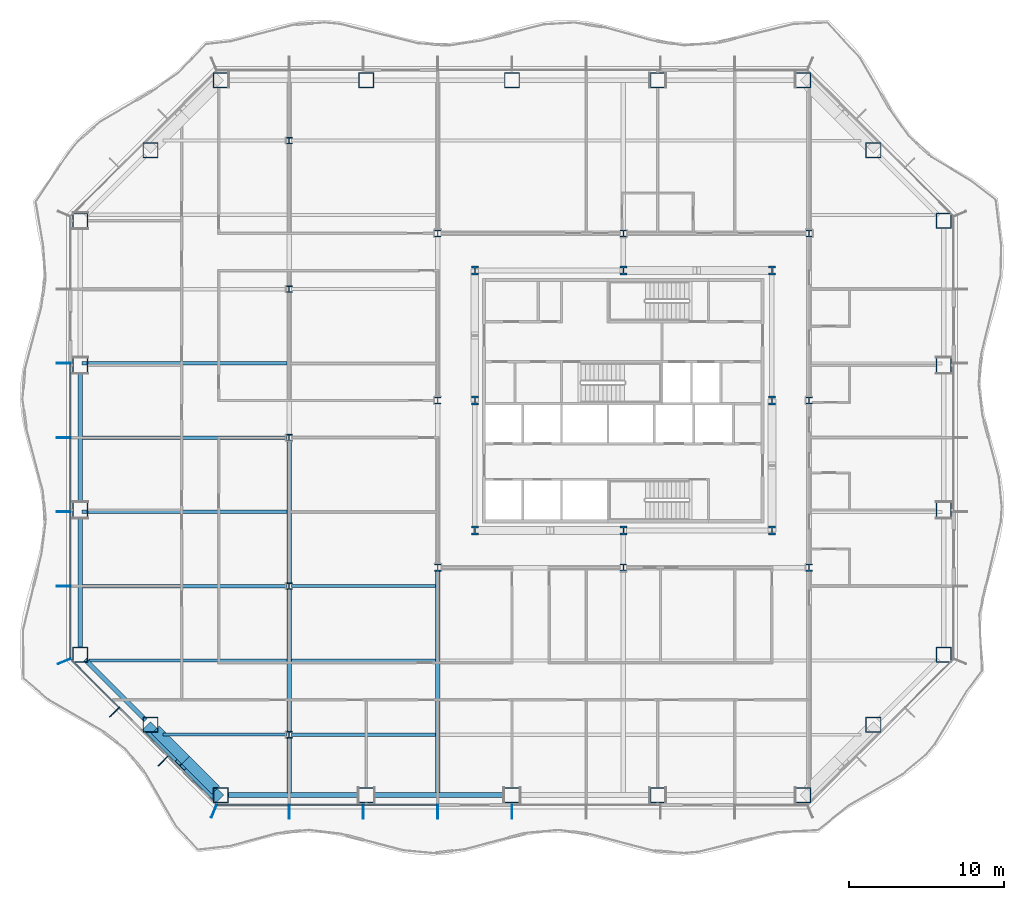
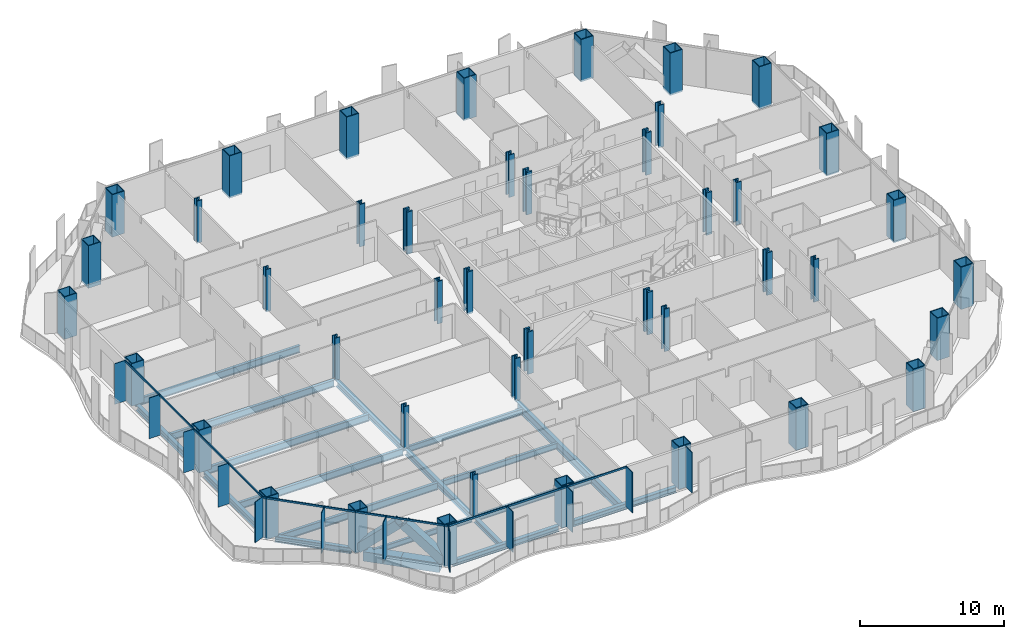
# One storey, part 1 of 21: 43 columns, 24 members, 20 beams, 3 elements without a shape of their own.
"""IFC4 building model written with IfcOpenShell, lengths in metres."""

import ifcopenshell
import ifcopenshell.guid

model = None  # the IFC model being written
_history = None  # IfcOwnerHistory: only IFC2X3 demands one
_inside = {}  # id of a spatial element -> (the spatial element, [elements in it])
_under = {}  # id of a project, library or spatial element -> (it, [spatial elements below it])
_declared = {}  # id of a project -> (the project, [libraries it declares])
_typed = {}  # id of a type object -> (the type object, [elements of that type])
_made_of = {}  # id of a material, layer set ... -> (it, [elements and type objects made of it])


def new_model(schema):
    """Start an empty IFC model of exactly this schema.

    Asked for "IFC4X3", IfcOpenShell would pick the latest addendum, in which some entities
    have other attributes; the version numbers below select the first issue.
    IFC2X3 requires an IfcOwnerHistory on every rooted entity: one is made here for all.
    """
    global model, _history
    if schema == "IFC4X3":
        model = ifcopenshell.file(schema_version=(4, 3, 0, 0))
    else:
        model = ifcopenshell.file(schema=schema)
    _inside.clear()
    _under.clear()
    _declared.clear()
    _typed.clear()
    _made_of.clear()
    _history = None
    if model.schema == "IFC2X3":
        org = make("IfcOrganization", Name="unknown")
        user = make(
            "IfcPersonAndOrganization",
            ThePerson=make("IfcPerson", FamilyName="unknown"),
            TheOrganization=org,
        )
        app = make(
            "IfcApplication",
            ApplicationDeveloper=org,
            Version="unknown",
            ApplicationFullName="unknown",
            ApplicationIdentifier="unknown",
        )
        _history = make(
            "IfcOwnerHistory",
            OwningUser=user,
            OwningApplication=app,
            ChangeAction="ADDED",
            CreationDate=0,
        )
    return model


def make(cls, **values):
    """One entity of the class cls with the attributes given. An attribute that is None is left unset."""
    return model.create_entity(
        cls, **{name: value for name, value in values.items() if value is not None}
    )


def rooted(cls, **values):
    """An entity with a GlobalId (a new one), such as an element, a storey or a relation."""
    return make(cls, GlobalId=ifcopenshell.guid.new(), OwnerHistory=_history, **values)


def si_unit(unit_type, name, prefix=None):
    """IfcSIUnit, for example si_unit("LENGTHUNIT", "METRE", prefix="MILLI")."""
    return make("IfcSIUnit", UnitType=unit_type, Prefix=prefix, Name=name)


def assignment(units):
    """IfcUnitAssignment: the units of a project."""
    return None if units is None else make("IfcUnitAssignment", Units=units)


def point(xyz):
    """IfcCartesianPoint."""
    return None if xyz is None else make("IfcCartesianPoint", Coordinates=xyz)


def direction(xyz):
    """IfcDirection."""
    return None if xyz is None else make("IfcDirection", DirectionRatios=xyz)


def frame(location, z_axis=None, x_axis=None):
    """IfcAxis2Placement3D, a coordinate frame: its origin and axes. An axis left out is left unset."""
    return make(
        "IfcAxis2Placement3D",
        Location=point(location),
        Axis=direction(z_axis),
        RefDirection=direction(x_axis),
    )


def frame_2d(location, x_axis=None):
    """IfcAxis2Placement2D, a coordinate frame in the plane: its origin and x axis."""
    return make(
        "IfcAxis2Placement2D", Location=point(location), RefDirection=direction(x_axis)
    )


def origin():
    """The frame at (0, 0, 0) with its axes left unset."""
    return frame((0.0, 0.0, 0.0))


def origin_2d():
    """The frame at (0, 0) in the plane with its x axis left unset."""
    return frame_2d((0.0, 0.0))


def place(relative_to, where):
    """IfcLocalPlacement: puts the frame where relative to a parent placement (None: the world)."""
    return make(
        "IfcLocalPlacement", PlacementRelTo=relative_to, RelativePlacement=where
    )


def context(
    kind, dimensions, precision=None, world=None, true_north=None, identifier=None
):
    """IfcGeometricRepresentationContext, for example the 3D "Model" context."""
    return make(
        "IfcGeometricRepresentationContext",
        ContextIdentifier=identifier,
        ContextType=kind,
        CoordinateSpaceDimension=dimensions,
        Precision=precision,
        WorldCoordinateSystem=world,
        TrueNorth=true_north,
    )


def subcontext(parent, identifier, kind, view, scale=None):
    """IfcGeometricRepresentationSubContext, for example "Body" below "Model"."""
    return make(
        "IfcGeometricRepresentationSubContext",
        ContextIdentifier=identifier,
        ContextType=kind,
        ParentContext=parent,
        TargetScale=scale,
        TargetView=view,
    )


def project(units=None, contexts=None):
    """IfcProject with its units and contexts."""
    return rooted(
        "IfcProject",
        Name="project",
        RepresentationContexts=contexts,
        UnitsInContext=assignment(units),
    )


def spatial(cls, under=None, at=None, **own):
    """A site, building, storey or space (cls), placed at a placement, below another one or the project."""
    s = rooted(cls, ObjectPlacement=at, **own)
    if under is not None:
        _under.setdefault(under.id(), (under, []))[1].append(s)
    return s


def profile(cls, at=None, kind="AREA", **sizes):
    """A parametric profile (cls). Its sizes go by their IFC names, for example OverallWidth=200.0."""
    return make(cls, ProfileType=kind, Position=at, **sizes)


def rectangle(**sizes):
    """IfcRectangleProfileDef."""
    return profile("IfcRectangleProfileDef", **sizes)


def hollow_rectangle(**sizes):
    """IfcRectangleHollowProfileDef."""
    return profile("IfcRectangleHollowProfileDef", **sizes)


def i_section(**sizes):
    """IfcIShapeProfileDef."""
    return profile("IfcIShapeProfileDef", **sizes)


def extrude(swept, where, along, depth):
    """IfcExtrudedAreaSolid: the profile swept, set in the frame where, extruded along a direction by depth."""
    return make(
        "IfcExtrudedAreaSolid",
        SweptArea=swept,
        Position=where,
        ExtrudedDirection=direction(along),
        Depth=depth,
    )


def shape(context_of_items, identifier, shape_type, items):
    """IfcShapeRepresentation: the items that make up one representation, for example the "Body"."""
    return make(
        "IfcShapeRepresentation",
        ContextOfItems=context_of_items,
        RepresentationIdentifier=identifier,
        RepresentationType=shape_type,
        Items=items,
    )


def material(Name=None, Category=None):
    """IfcMaterial."""
    return make("IfcMaterial", Name=Name, Category=Category)


def material_profile(
    of_material, cross_section, Name=None, Category=None, Priority=None
):
    """IfcMaterialProfile: a cross section and its material."""
    return make(
        "IfcMaterialProfile",
        Name=Name,
        Material=of_material,
        Profile=cross_section,
        Priority=Priority,
        Category=Category,
    )


def profile_set(profiles, Name=None, composite=None):
    """IfcMaterialProfileSet."""
    return make(
        "IfcMaterialProfileSet",
        Name=Name,
        MaterialProfiles=profiles,
        CompositeProfile=composite,
    )


def made_of(thing, what):
    """Note that an element or type object is made of a material, layer set ...; save() writes the relation."""
    if what is not None:
        _made_of.setdefault(what.id(), (what, []))[1].append(thing)
    return thing


def type_object(cls, material=None, **own):
    """A type object (cls), such as IfcWallType, which elements share."""
    return made_of(rooted(cls, **own), material)


def element(
    cls,
    number,
    at=None,
    inside=None,
    cuts=None,
    type_object=None,
    material=None,
    context=None,
    identifier="Body",
    shape_type=None,
    held_by="IfcProductDefinitionShape",
    body=None,
    shapes=None,
    **own,
):
    """One element of the class cls, such as IfcWall. Its Tag is "e" and its number.

    at: its placement. inside: the storey or other place that contains it. cuts: it is an
    opening in that element (IfcRelVoidsElement). A single representation is given by context,
    identifier, shape_type and body (its items); several are given by shapes. held_by: the class
    of the entity that holds the representations. save() writes the other relations.
    """
    e = rooted(cls, Tag="e%d" % number, ObjectPlacement=at, **own)
    if body is not None:
        shapes = [shape(context, identifier, shape_type, body)]
    if shapes is not None:
        e.Representation = make(held_by, Representations=shapes)
    if inside is not None:
        _inside.setdefault(inside.id(), (inside, []))[1].append(e)
    if cuts is not None:
        rooted(
            "IfcRelVoidsElement", RelatingBuildingElement=cuts, RelatedOpeningElement=e
        )
    if type_object is not None:
        _typed.setdefault(type_object.id(), (type_object, []))[1].append(e)
    return made_of(e, material)


def aggregate(whole, parts):
    """IfcRelAggregates: a whole, such as a stair, and the parts it consists of."""
    return rooted("IfcRelAggregates", RelatingObject=whole, RelatedObjects=parts)


def save(model, path):
    """Write the relations noted so far, then the file.

    IfcRelAggregates (storeys below a building ...), IfcRelContainedInSpatialStructure (elements
    in a storey), IfcRelDefinesByType, IfcRelAssociatesMaterial and IfcRelDeclares: one each for
    every whole, place, type object, material and project.
    """
    for whole, parts in _under.values():
        aggregate(whole, parts)
    for where, things in _inside.values():
        rooted(
            "IfcRelContainedInSpatialStructure",
            RelatedElements=things,
            RelatingStructure=where,
        )
    for kind, things in _typed.values():
        rooted("IfcRelDefinesByType", RelatedObjects=things, RelatingType=kind)
    for what, things in _made_of.values():
        rooted("IfcRelAssociatesMaterial", RelatedObjects=things, RelatingMaterial=what)
    for by, libraries in _declared.values():
        rooted("IfcRelDeclares", RelatingContext=by, RelatedDefinitions=libraries)
    model.write(path)


model = new_model("IFC4")

# Units and contexts
model_context = context("Model", 3, precision=1e-05, world=origin(), true_north=direction((0.0, 1.0)))
body_context = subcontext(model_context, "Body", "Model", "MODEL_VIEW")
ifc_project = project(units=[si_unit("LENGTHUNIT", "METRE"), si_unit("AREAUNIT", "SQUARE_METRE"), si_unit("VOLUMEUNIT", "CUBIC_METRE"), si_unit("PLANEANGLEUNIT", "RADIAN"), si_unit("MASSUNIT", "GRAM", prefix="KILO")], contexts=[model_context])

# Site, building, storey
site_placement = place(None, origin())
site = spatial("IfcSite", under=ifc_project, at=site_placement, CompositionType="ELEMENT")
building_placement = place(site_placement, origin())
building = spatial("IfcBuilding", under=site, at=building_placement, Name="Cairn Pilgrim Tower", CompositionType="ELEMENT")
storey_placement = place(building_placement, frame((0.0, 0.0, 54.60009765625)))
storey = spatial("IfcBuildingStorey", under=building, at=storey_placement, Name="L11", CompositionType="ELEMENT", Elevation=54.60009765625)

# Columns
ifc_material_1 = material(Name="Structural steel S460M", Category="steel")
ifc_material_profile_1 = material_profile(ifc_material_1, hollow_rectangle(XDim=1.0, YDim=1.0, WallThickness=0.06005859375, at=origin_2d()), Name="BOX 1000x1000x60")
ifc_profile_set_1 = profile_set([ifc_material_profile_1], Name="Structural steel S460M")
column_type_1 = type_object("IfcColumnType", Name="BOX 1000x1000x60", PredefinedType="COLUMN", material=ifc_profile_set_1)
for number, where, z_axis, x_axis, name in (
    (1, (-18.8271484375, -23.10009765625, -0.150146484375), (0.0, 0.0, 1.0), (1.0, 0.0, 0.0), "PC1-S1"),
    (2, (-9.41357421875, -23.10009765625, -0.150146484375), (0.0, 0.0, 1.0), (1.0, 0.0, 0.0), "PC1-S2"),
    (3, (0.0, -23.10009765625, -0.150146484375), (0.0, 0.0, 1.0), (1.0, 0.0, 0.0), "PC1-S3"),
    (4, (9.41357421875, -23.10009765625, -0.150146484375), (0.0, 0.0, 1.0), (1.0, 0.0, 0.0), "PC1-S4"),
    (5, (18.8271484375, -23.10009765625, -0.150146484375), (0.0, 0.0, 1.0), (1.0, 0.0, 0.0), "PC1-SE1"),
    (6, (23.363525390625, -18.563720703125, -0.150146484375), (0.0, 0.0, 1.0), (1.0, 0.0, 0.0), "PC1-SE2"),
    (7, (27.89990234375, -14.027099609375, -0.150146484375), (0.0, 0.0, 1.0), (1.0, 0.0, 0.0), "PC1-E1"),
    (8, (27.89990234375, -4.67578125, -0.150146484375), (0.0, 0.0, 1.0), (1.0, 0.0, 0.0), "PC1-E2"),
    (9, (27.89990234375, 4.67578125, -0.150146484375), (0.0, 0.0, 1.0), (1.0, 0.0, 0.0), "PC1-E3"),
    (10, (27.89990234375, 14.027099609375, -0.150146484375), (0.0, 0.0, 1.0), (1.0, 0.0, 0.0), "PC1-NE1"),
    (11, (23.363525390625, 18.563720703125, -0.150146484375), (0.0, 0.0, 1.0), (1.0, 0.0, 0.0), "PC1-NE2"),
    (12, (18.8271484375, 23.10009765625, -0.150146484375), (0.0, 0.0, 1.0), (1.0, 0.0, 0.0), "PC1-N1"),
    (13, (9.41357421875, 23.10009765625, -0.150146484375), (0.0, 0.0, 1.0), (1.0, 0.0, 0.0), "PC1-N2"),
    (14, (0.0, 23.10009765625, -0.150146484375), (0.0, 0.0, 1.0), (1.0, 0.0, 0.0), "PC1-N3"),
    (15, (-9.41357421875, 23.10009765625, -0.150146484375), (0.0, 0.0, 1.0), (1.0, 0.0, 0.0), "PC1-N4"),
    (16, (-18.8271484375, 23.10009765625, -0.150146484375), (0.0, 0.0, 1.0), (1.0, 0.0, 0.0), "PC1-NW1"),
    (17, (-23.363525390625, 18.563720703125, -0.150146484375), (0.0, 0.0, 1.0), (1.0, 0.0, 0.0), "PC1-NW2"),
    (18, (-27.89990234375, 14.027099609375, -0.150146484375), (0.0, 0.0, 1.0), (1.0, 0.0, 0.0), "PC1-W1"),
    (19, (-27.89990234375, 4.67578125, -0.150146484375), (0.0, 0.0, 1.0), (1.0, 0.0, 0.0), "PC1-W2"),
    (20, (-27.89990234375, -4.67578125, -0.150146484375), (0.0, 0.0, 1.0), (1.0, 0.0, 0.0), "PC1-W3"),
    (21, (-27.89990234375, -14.027099609375, -0.150146484375), (0.0, 0.0, 1.0), (1.0, 0.0, 0.0), "PC1-SW1"),
    (22, (-23.363525390625, -18.563720703125, -0.150146484375), (0.0, 0.0, 1.0), (1.0, 0.0, 0.0), "PC1-SW2"),
):
    element("IfcColumn", number, at=place(storey_placement, frame(where, z_axis=z_axis, x_axis=x_axis)), inside=storey, type_object=column_type_1, Name=name, PredefinedType="COLUMN", context=body_context, shape_type="SweptSolid", body=[
        extrude(hollow_rectangle(XDim=1.0, YDim=1.0, WallThickness=0.06005859375, at=origin_2d()), origin(), (0.0, 0.0, 1.0), 3.60009765625),
    ])
ifc_material_profile_2 = material_profile(ifc_material_1, i_section(OverallWidth=0.4541015625, OverallDepth=0.569091796875, WebThickness=0.077880859375, FlangeThickness=0.125, FilletRadius=0.014892578125, at=origin_2d()), Name="HD 400x1086")
ifc_profile_set_2 = profile_set([ifc_material_profile_2], Name="Structural steel S460M")
column_type_2 = type_object("IfcColumnType", Name="HD 400x1086", PredefinedType="COLUMN", material=ifc_profile_set_2)
for number, where, z_axis, x_axis, name in (
    (23, (-2.39990234375, -6.0, -0.150146484375), (0.0, 0.0, 1.0), (1.0, 0.0, 0.0), "KC-1"),
    (24, (7.199951171875, -6.0, -0.150146484375), (0.0, 0.0, 1.0), (1.0, 0.0, 0.0), "KC-2"),
    (25, (16.800048828125, -6.0, -0.150146484375), (0.0, 0.0, 1.0), (1.0, 0.0, 0.0), "KC-3"),
    (26, (-2.39990234375, 2.39990234375, -0.150146484375), (0.0, 0.0, 1.0), (1.0, 0.0, 0.0), "KC-4"),
    (27, (16.800048828125, 2.39990234375, -0.150146484375), (0.0, 0.0, 1.0), (1.0, 0.0, 0.0), "KC-5"),
    (28, (-2.39990234375, 10.800048828125, -0.150146484375), (0.0, 0.0, 1.0), (1.0, 0.0, 0.0), "KC-6"),
    (29, (7.199951171875, 10.800048828125, -0.150146484375), (0.0, 0.0, 1.0), (1.0, 0.0, 0.0), "KC-7"),
    (30, (16.800048828125, 10.800048828125, -0.150146484375), (0.0, 0.0, 1.0), (1.0, 0.0, 0.0), "KC-8"),
):
    element("IfcColumn", number, at=place(storey_placement, frame(where, z_axis=z_axis, x_axis=x_axis)), inside=storey, type_object=column_type_2, Name=name, PredefinedType="COLUMN", context=body_context, shape_type="SweptSolid", body=[
        extrude(i_section(OverallWidth=0.4541015625, OverallDepth=0.569091796875, WebThickness=0.077880859375, FlangeThickness=0.125, FilletRadius=0.014892578125, at=origin_2d()), origin(), (0.0, 0.0, 1.0), 3.60009765625),
    ])
ifc_material_profile_3 = material_profile(ifc_material_1, i_section(OverallWidth=0.408935546875, OverallDepth=0.425048828125, WebThickness=0.03271484375, FlangeThickness=0.052490234375, FilletRadius=0.014892578125, at=origin_2d()), Name="HD 400x421")
ifc_profile_set_3 = profile_set([ifc_material_profile_3], Name="Structural steel S460M")
column_type_3 = type_object("IfcColumnType", Name="HD 400x421", PredefinedType="COLUMN", material=ifc_profile_set_3)
for number, where, z_axis, x_axis, name in (
    (31, (-14.39990234375, -19.199951171875, -0.150146484375), (0.0, 0.0, 1.0), (1.0, 0.0, 0.0), "WC-WW-4"),
    (32, (-14.39990234375, -9.60009765625, -0.150146484375), (0.0, 0.0, 1.0), (1.0, 0.0, 0.0), "WC-WW-2"),
    (33, (-14.39990234375, 0.0, -0.150146484375), (0.0, 0.0, 1.0), (1.0, 0.0, 0.0), "WC-WW+0"),
    (34, (-14.39990234375, 9.60009765625, -0.150146484375), (0.0, 0.0, 1.0), (1.0, 0.0, 0.0), "WC-WW+2"),
    (35, (-14.39990234375, 19.199951171875, -0.150146484375), (0.0, 0.0, 1.0), (1.0, 0.0, 0.0), "WC-WW+4"),
):
    element("IfcColumn", number, at=place(storey_placement, frame(where, z_axis=z_axis, x_axis=x_axis)), inside=storey, type_object=column_type_3, Name=name, PredefinedType="COLUMN", context=body_context, shape_type="SweptSolid", body=[
        extrude(i_section(OverallWidth=0.408935546875, OverallDepth=0.425048828125, WebThickness=0.03271484375, FlangeThickness=0.052490234375, FilletRadius=0.014892578125, at=origin_2d()), origin(), (0.0, 0.0, 1.0), 3.60009765625),
    ])
ifc_material_profile_4 = material_profile(ifc_material_1, i_section(OverallWidth=0.424072265625, OverallDepth=0.47412109375, WebThickness=0.047607421875, FlangeThickness=0.0771484375, FilletRadius=0.014892578125, at=origin_2d()), Name="HD 400x634")
ifc_profile_set_4 = profile_set([ifc_material_profile_4], Name="Structural steel S460M")
column_type_4 = type_object("IfcColumnType", Name="HD 400x634", PredefinedType="COLUMN", material=ifc_profile_set_4)
for number, where, z_axis, x_axis, name in (
    (36, (-4.800048828125, -8.39990234375, -0.150146484375), (0.0, 0.0, 1.0), (1.0, 0.0, 0.0), "IC-1"),
    (37, (7.199951171875, -8.39990234375, -0.150146484375), (0.0, 0.0, 1.0), (1.0, 0.0, 0.0), "IC-2"),
    (38, (19.199951171875, -8.39990234375, -0.150146484375), (0.0, 0.0, 1.0), (1.0, 0.0, 0.0), "IC-3"),
    (39, (-4.800048828125, 2.39990234375, -0.150146484375), (0.0, 0.0, 1.0), (1.0, 0.0, 0.0), "IC-4"),
    (40, (19.199951171875, 2.39990234375, -0.150146484375), (0.0, 0.0, 1.0), (1.0, 0.0, 0.0), "IC-5"),
    (41, (-4.800048828125, 13.199951171875, -0.150146484375), (0.0, 0.0, 1.0), (1.0, 0.0, 0.0), "IC-6"),
    (42, (7.199951171875, 13.199951171875, -0.150146484375), (0.0, 0.0, 1.0), (1.0, 0.0, 0.0), "IC-7"),
    (43, (19.199951171875, 13.199951171875, -0.150146484375), (0.0, 0.0, 1.0), (1.0, 0.0, 0.0), "IC-8"),
):
    element("IfcColumn", number, at=place(storey_placement, frame(where, z_axis=z_axis, x_axis=x_axis)), inside=storey, type_object=column_type_4, Name=name, PredefinedType="COLUMN", context=body_context, shape_type="SweptSolid", body=[
        extrude(i_section(OverallWidth=0.424072265625, OverallDepth=0.47412109375, WebThickness=0.047607421875, FlangeThickness=0.0771484375, FilletRadius=0.014892578125, at=origin_2d()), origin(), (0.0, 0.0, 1.0), 3.60009765625),
    ])

# Members
ifc_material_profile_5 = material_profile(ifc_material_1, hollow_rectangle(XDim=0.699951171875, YDim=0.699951171875, WallThickness=0.0400390625, at=origin_2d()), Name="BOX 700x700x40")
ifc_profile_set_5 = profile_set([ifc_material_profile_5], Name="Structural steel S460M")
member_type_1 = type_object("IfcMemberType", Name="BOX 700x700x40 BRACE", PredefinedType="BRACE", material=ifc_profile_set_5)
member_1_placement = place(storey_placement, frame((-23.44482421875, -18.786376953125, 0.14990234375), z_axis=(0.528068439288, -0.528068439288, 0.665046950866), x_axis=(0.707106781187, 0.707106781187, 0.0)))
element("IfcMember", 44, at=member_1_placement, inside=storey, type_object=member_type_1, Name="XB-SW2-S1-1", PredefinedType="BRACE", context=body_context, shape_type="SweptSolid", body=[
    extrude(hollow_rectangle(XDim=0.699951171875, YDim=0.699951171875, WallThickness=0.0400390625, at=origin_2d()), origin(), (0.0, 0.0, 1.0), 3.899658203125),
])
member_2_placement = place(storey_placement, frame((-19.0498046875, -23.181396484375, 0.14990234375), z_axis=(-0.528096125699, 0.528096125699, 0.665002980477), x_axis=(-0.707106781187, -0.707106781187, 0.0)))
element("IfcMember", 45, at=member_2_placement, inside=storey, type_object=member_type_1, Name="XB-SW2-S1-2", PredefinedType="BRACE", context=body_context, shape_type="SweptSolid", body=[
    extrude(hollow_rectangle(XDim=0.699951171875, YDim=0.699951171875, WallThickness=0.0400390625, at=origin_2d()), origin(), (0.0, 0.0, 1.0), 3.89990234375),
])

# Beams
ifc_material_2 = material(Name="Structural steel S355J2", Category="steel")
ifc_material_profile_6 = material_profile(ifc_material_2, hollow_rectangle(XDim=0.699951171875, YDim=0.800048828125, WallThickness=0.0400390625, at=origin_2d()), Name="BOX 700x800x40")
ifc_profile_set_6 = profile_set([ifc_material_profile_6], Name="Structural steel S355J2")
beam_type_1 = type_object("IfcBeamType", Name="BOX 700x800x40 RING GIRDER", PredefinedType="SPANDREL", material=ifc_profile_set_6)
for number, where, z_axis, x_axis, name in (
    (46, (-23.04541015625, -18.8818359375, -0.550048828125), (0.707106781187, -0.707106781187, 0.0), (0.707106781187, 0.707106781187, 0.0), "RG1-SW2-S1-1"),
    (47, (-21.095458984375, -20.831787109375, -0.550048828125), (0.707106781187, -0.707106781187, 0.0), (0.707106781187, 0.707106781187, 0.0), "RG1-SW2-S1-2"),
):
    element("IfcBeam", number, at=place(storey_placement, frame(where, z_axis=z_axis, x_axis=x_axis)), inside=storey, type_object=beam_type_1, Name=name, PredefinedType="SPANDREL", context=body_context, shape_type="SweptSolid", body=[
        extrude(hollow_rectangle(XDim=0.699951171875, YDim=0.800048828125, WallThickness=0.0400390625, at=origin_2d()), origin(), (0.0, 0.0, 1.0), 2.757568359375),
    ])

# Curtain wall, members
ifc_material_3 = material(Name="Aluminium alloy 6063-T6 bronze anodised with Bronze tinted laminated low-E glass 8+16+8.8", Category="aluminium")
curtain_wall_type_1 = type_object("IfcCurtainWallType", Name="TOWER STICK CURTAIN WALL NS", PredefinedType="NOTDEFINED", material=ifc_material_3)
curtain_wall_1_placement = place(storey_placement, origin())
curtain_wall_1 = element("IfcCurtainWall", 48, at=curtain_wall_1_placement, inside=storey, type_object=curtain_wall_type_1, Name="Tower Stick Curtain Wall Ns S", PredefinedType="NOTDEFINED")
ifc_material_4 = material(Name="Aluminium alloy 6063-T6 bronze anodised", Category="aluminium")
ifc_material_profile_7 = material_profile(ifc_material_4, rectangle(XDim=0.89990234375, YDim=0.06005859375, at=origin_2d()), Name="FIN MULLION 60x900 BRONZE")
ifc_profile_set_7 = profile_set([ifc_material_profile_7], Name="Aluminium alloy 6063-T6 bronze anodised")
member_type_2 = type_object("IfcMemberType", Name="FIN MULLION 60x900 BRONZE", PredefinedType="MULLION", material=ifc_profile_set_7)
member_3_placement = place(storey_placement, frame((-19.257080078125, -24.137939453125, 0.0), z_axis=(0.0, 0.0, 1.0), x_axis=(-0.382683432365, -0.923879532511, 0.0)))
member_3 = element("IfcMember", 49, at=member_3_placement, type_object=member_type_2, Name="Fin mullion S1", PredefinedType="MULLION", context=body_context, shape_type="SweptSolid", body=[
    extrude(rectangle(XDim=0.89990234375, YDim=0.06005859375, at=origin_2d()), origin(), (0.0, 0.0, 1.0), 3.449951171875),
])
member_4_placement = place(storey_placement, frame((-14.39990234375, -24.169921875, 0.0), z_axis=(0.0, 0.0, 1.0), x_axis=(0.0, -1.0, 0.0)))
member_4 = element("IfcMember", 50, at=member_4_placement, type_object=member_type_2, Name="Fin mullion S2", PredefinedType="MULLION", context=body_context, shape_type="SweptSolid", body=[
    extrude(rectangle(XDim=0.89990234375, YDim=0.06005859375, at=origin_2d()), origin(), (0.0, 0.0, 1.0), 3.449951171875),
])
member_5_placement = place(storey_placement, frame((-9.60009765625, -24.169921875, 0.0), z_axis=(0.0, 0.0, 1.0), x_axis=(0.0, -1.0, 0.0)))
member_5 = element("IfcMember", 51, at=member_5_placement, type_object=member_type_2, Name="Fin mullion S3", PredefinedType="MULLION", context=body_context, shape_type="SweptSolid", body=[
    extrude(rectangle(XDim=0.89990234375, YDim=0.06005859375, at=origin_2d()), origin(), (0.0, 0.0, 1.0), 3.449951171875),
])
member_6_placement = place(storey_placement, frame((-4.800048828125, -24.169921875, 0.0), z_axis=(0.0, 0.0, 1.0), x_axis=(0.0, -1.0, 0.0)))
member_6 = element("IfcMember", 52, at=member_6_placement, type_object=member_type_2, Name="Fin mullion S4", PredefinedType="MULLION", context=body_context, shape_type="SweptSolid", body=[
    extrude(rectangle(XDim=0.89990234375, YDim=0.06005859375, at=origin_2d()), origin(), (0.0, 0.0, 1.0), 3.449951171875),
])
member_7_placement = place(storey_placement, frame((0.0, -24.169921875, 0.0), z_axis=(0.0, 0.0, 1.0), x_axis=(0.0, -1.0, 0.0)))
member_7 = element("IfcMember", 53, at=member_7_placement, type_object=member_type_2, Name="Fin mullion S5", PredefinedType="MULLION", context=body_context, shape_type="SweptSolid", body=[
    extrude(rectangle(XDim=0.89990234375, YDim=0.06005859375, at=origin_2d()), origin(), (0.0, 0.0, 1.0), 3.449951171875),
])

curtain_wall_type_2 = type_object("IfcCurtainWallType", Name="TOWER STICK CURTAIN WALL EW", PredefinedType="NOTDEFINED", material=ifc_material_3)
curtain_wall_2_placement = place(storey_placement, origin())
curtain_wall_2 = element("IfcCurtainWall", 54, at=curtain_wall_2_placement, inside=storey, type_object=curtain_wall_type_2, Name="Tower Stick Curtain Wall Ew W", PredefinedType="NOTDEFINED")
member_8_placement = place(storey_placement, frame((-28.969970703125, 4.800048828125, 0.0), z_axis=(0.0, 0.0, 1.0), x_axis=(-1.0, 0.0, 0.0)))
member_8 = element("IfcMember", 55, at=member_8_placement, type_object=member_type_2, Name="Fin mullion W3", PredefinedType="MULLION", context=body_context, shape_type="SweptSolid", body=[
    extrude(rectangle(XDim=0.89990234375, YDim=0.06005859375, at=origin_2d()), origin(), (0.0, 0.0, 1.0), 3.449951171875),
])
member_9_placement = place(storey_placement, frame((-28.969970703125, 0.0, 0.0), z_axis=(0.0, 0.0, 1.0), x_axis=(-1.0, 0.0, 0.0)))
member_9 = element("IfcMember", 56, at=member_9_placement, type_object=member_type_2, Name="Fin mullion W4", PredefinedType="MULLION", context=body_context, shape_type="SweptSolid", body=[
    extrude(rectangle(XDim=0.89990234375, YDim=0.06005859375, at=origin_2d()), origin(), (0.0, 0.0, 1.0), 3.449951171875),
])
member_10_placement = place(storey_placement, frame((-28.969970703125, -4.800048828125, 0.0), z_axis=(0.0, 0.0, 1.0), x_axis=(-1.0, 0.0, 0.0)))
member_10 = element("IfcMember", 57, at=member_10_placement, type_object=member_type_2, Name="Fin mullion W5", PredefinedType="MULLION", context=body_context, shape_type="SweptSolid", body=[
    extrude(rectangle(XDim=0.89990234375, YDim=0.06005859375, at=origin_2d()), origin(), (0.0, 0.0, 1.0), 3.449951171875),
])
member_11_placement = place(storey_placement, frame((-28.969970703125, -9.60009765625, 0.0), z_axis=(0.0, 0.0, 1.0), x_axis=(-1.0, 0.0, 0.0)))
member_11 = element("IfcMember", 58, at=member_11_placement, type_object=member_type_2, Name="Fin mullion W6", PredefinedType="MULLION", context=body_context, shape_type="SweptSolid", body=[
    extrude(rectangle(XDim=0.89990234375, YDim=0.06005859375, at=origin_2d()), origin(), (0.0, 0.0, 1.0), 3.449951171875),
])

curtain_wall_type_3 = type_object("IfcCurtainWallType", Name="CHAMFER CORNER CURTAIN WALL", PredefinedType="NOTDEFINED", material=ifc_material_3)
curtain_wall_3_placement = place(storey_placement, origin())
curtain_wall_3 = element("IfcCurtainWall", 59, at=curtain_wall_3_placement, inside=storey, type_object=curtain_wall_type_3, Name="Chamfer Corner Curtain Wall SW", PredefinedType="NOTDEFINED")
member_12_placement = place(storey_placement, frame((-28.93798828125, -14.457275390625, 0.0), z_axis=(0.0, 0.0, 1.0), x_axis=(-0.923879532511, -0.382683432365, 0.0)))
member_12 = element("IfcMember", 60, at=member_12_placement, type_object=member_type_2, Name="Fin mullion SW1", PredefinedType="MULLION", context=body_context, shape_type="SweptSolid", body=[
    extrude(rectangle(XDim=0.89990234375, YDim=0.06005859375, at=origin_2d()), origin(), (0.0, 0.0, 1.0), 3.449951171875),
])
member_13_placement = place(storey_placement, frame((-25.69580078125, -17.74462890625, 0.0), z_axis=(0.0, 0.0, 1.0), x_axis=(-0.707106781187, -0.707106781187, 0.0)))
member_13 = element("IfcMember", 61, at=member_13_placement, type_object=member_type_2, Name="Fin mullion SW2", PredefinedType="MULLION", context=body_context, shape_type="SweptSolid", body=[
    extrude(rectangle(XDim=0.89990234375, YDim=0.06005859375, at=origin_2d()), origin(), (0.0, 0.0, 1.0), 3.449951171875),
])
member_14_placement = place(storey_placement, frame((-22.544677734375, -20.895751953125, 0.0), z_axis=(0.0, 0.0, 1.0), x_axis=(-0.707106781187, -0.707106781187, 0.0)))
member_14 = element("IfcMember", 62, at=member_14_placement, type_object=member_type_2, Name="Fin mullion SW3", PredefinedType="MULLION", context=body_context, shape_type="SweptSolid", body=[
    extrude(rectangle(XDim=0.89990234375, YDim=0.06005859375, at=origin_2d()), origin(), (0.0, 0.0, 1.0), 3.449951171875),
])

# Beams
ifc_material_profile_8 = material_profile(ifc_material_2, i_section(OverallWidth=0.300048828125, OverallDepth=0.39990234375, WebThickness=0.013427734375, FlangeThickness=0.02392578125, FilletRadius=0.027099609375, at=origin_2d()), Name="HEB 400")
ifc_profile_set_8 = profile_set([ifc_material_profile_8], Name="Structural steel S355J2")
beam_type_2 = type_object("IfcBeamType", Name="HEB 400 GIRDER", PredefinedType="BEAM", material=ifc_profile_set_8)
beam_1_placement = place(storey_placement, frame((-14.39990234375, -22.97998046875, -0.35009765625), z_axis=(0.0, 1.0, 0.0), x_axis=(-1.0, 0.0, 0.0)))
element("IfcBeam", 63, at=beam_1_placement, inside=storey, type_object=beam_type_2, Name="PG1-1", PredefinedType="BEAM", context=body_context, shape_type="SweptSolid", body=[
    extrude(i_section(OverallWidth=0.300048828125, OverallDepth=0.39990234375, WebThickness=0.013427734375, FlangeThickness=0.02392578125, FilletRadius=0.027099609375, at=origin_2d()), origin(), (0.0, 0.0, 1.0), 3.575439453125),
])
ifc_material_profile_9 = material_profile(ifc_material_2, i_section(OverallWidth=0.300048828125, OverallDepth=0.5, WebThickness=0.014404296875, FlangeThickness=0.028076171875, FilletRadius=0.027099609375, at=origin_2d()), Name="HEB 500")
ifc_profile_set_9 = profile_set([ifc_material_profile_9], Name="Structural steel S355J2")
beam_type_3 = type_object("IfcBeamType", Name="HEB 500 GIRDER", PredefinedType="BEAM", material=ifc_profile_set_9)
beam_2_placement = place(storey_placement, frame((-14.39990234375, -18.99560546875, -0.400146484375), z_axis=(0.0, 1.0, 0.0), x_axis=(-1.0, 0.0, 0.0)))
element("IfcBeam", 64, at=beam_2_placement, inside=storey, type_object=beam_type_3, Name="PG1-2", PredefinedType="BEAM", context=body_context, shape_type="SweptSolid", body=[
    extrude(i_section(OverallWidth=0.300048828125, OverallDepth=0.5, WebThickness=0.014404296875, FlangeThickness=0.028076171875, FilletRadius=0.027099609375, at=origin_2d()), origin(), (0.0, 0.0, 1.0), 9.191162109375),
])
beam_3_placement = place(storey_placement, frame((-14.39990234375, -9.3955078125, -0.400146484375), z_axis=(0.0, 1.0, 0.0), x_axis=(-1.0, 0.0, 0.0)))
element("IfcBeam", 65, at=beam_3_placement, inside=storey, type_object=beam_type_3, Name="PG1-3", PredefinedType="BEAM", context=body_context, shape_type="SweptSolid", body=[
    extrude(i_section(OverallWidth=0.300048828125, OverallDepth=0.5, WebThickness=0.014404296875, FlangeThickness=0.028076171875, FilletRadius=0.027099609375, at=origin_2d()), origin(), (0.0, 0.0, 1.0), 9.19091796875),
])
ifc_material_profile_10 = material_profile(ifc_material_2, i_section(OverallWidth=0.300048828125, OverallDepth=0.5, WebThickness=0.014404296875, FlangeThickness=0.028076171875, FilletRadius=0.027099609375, at=origin_2d()), Name="HEB 500")
ifc_profile_set_10 = profile_set([ifc_material_profile_10], Name="Structural steel S355J2")
beam_type_4 = type_object("IfcBeamType", Name="HEB 500 RING GIRDER", PredefinedType="SPANDREL", material=ifc_profile_set_10)
for number, where, z_axis, x_axis, name in (
    (66, (-18.377197265625, -23.10009765625, -0.400146484375), (1.0, 0.0, 0.0), (0.0, 1.0, 0.0), "RG1-S1-S2"),
    (67, (-8.963623046875, -23.10009765625, -0.400146484375), (1.0, 0.0, 0.0), (0.0, 1.0, 0.0), "RG1-S2-S3"),
):
    element("IfcBeam", number, at=place(storey_placement, frame(where, z_axis=z_axis, x_axis=x_axis)), inside=storey, type_object=beam_type_4, Name=name, PredefinedType="SPANDREL", context=body_context, shape_type="SweptSolid", body=[
        extrude(i_section(OverallWidth=0.300048828125, OverallDepth=0.5, WebThickness=0.014404296875, FlangeThickness=0.028076171875, FilletRadius=0.027099609375, at=origin_2d()), origin(), (0.0, 0.0, 1.0), 8.513671875),
    ])
beam_4_placement = place(storey_placement, frame((-27.89990234375, 4.2255859375, -0.400146484375), z_axis=(0.0, -1.0, 0.0), x_axis=(1.0, 0.0, 0.0)))
element("IfcBeam", 68, at=beam_4_placement, inside=storey, type_object=beam_type_4, Name="RG1-W2-W3", PredefinedType="SPANDREL", context=body_context, shape_type="SweptSolid", body=[
    extrude(i_section(OverallWidth=0.300048828125, OverallDepth=0.5, WebThickness=0.014404296875, FlangeThickness=0.028076171875, FilletRadius=0.027099609375, at=origin_2d()), origin(), (0.0, 0.0, 1.0), 8.451171875),
])
beam_5_placement = place(storey_placement, frame((-27.89990234375, -5.125732421875, -0.400146484375), z_axis=(0.0, -1.0, 0.0), x_axis=(1.0, 0.0, 0.0)))
element("IfcBeam", 69, at=beam_5_placement, inside=storey, type_object=beam_type_4, Name="RG1-W3-SW1", PredefinedType="SPANDREL", context=body_context, shape_type="SweptSolid", body=[
    extrude(i_section(OverallWidth=0.300048828125, OverallDepth=0.5, WebThickness=0.014404296875, FlangeThickness=0.028076171875, FilletRadius=0.027099609375, at=origin_2d()), origin(), (0.0, 0.0, 1.0), 8.451416015625),
])
beam_6_placement = place(storey_placement, frame((-27.581787109375, -14.345458984375, -0.400146484375), z_axis=(0.707106781187, -0.707106781187, 0.0), x_axis=(0.707106781187, 0.707106781187, 0.0)))
element("IfcBeam", 70, at=beam_6_placement, inside=storey, type_object=beam_type_4, Name="RG1-SW1-SW2", PredefinedType="SPANDREL", context=body_context, shape_type="SweptSolid", body=[
    extrude(i_section(OverallWidth=0.300048828125, OverallDepth=0.5, WebThickness=0.014404296875, FlangeThickness=0.028076171875, FilletRadius=0.027099609375, at=origin_2d()), origin(), (0.0, 0.0, 1.0), 5.515380859375),
])
ifc_material_profile_11 = material_profile(ifc_material_2, i_section(OverallWidth=0.300048828125, OverallDepth=0.699951171875, WebThickness=0.01708984375, FlangeThickness=0.031982421875, FilletRadius=0.027099609375, at=origin_2d()), Name="HEB 700")
ifc_profile_set_11 = profile_set([ifc_material_profile_11], Name="Structural steel S355J2")
beam_type_5 = type_object("IfcBeamType", Name="HEB 700 GIRDER", PredefinedType="BEAM", material=ifc_profile_set_11)
beam_7_placement = place(storey_placement, frame((-4.800048828125, -22.97998046875, -0.5), z_axis=(0.0, 1.0, 0.0), x_axis=(-1.0, 0.0, 0.0)))
element("IfcBeam", 71, at=beam_7_placement, inside=storey, type_object=beam_type_5, Name="PG2-1", PredefinedType="BEAM", context=body_context, shape_type="SweptSolid", body=[
    extrude(i_section(OverallWidth=0.300048828125, OverallDepth=0.699951171875, WebThickness=0.01708984375, FlangeThickness=0.031982421875, FilletRadius=0.027099609375, at=origin_2d()), origin(), (0.0, 0.0, 1.0), 14.367919921875),
])
ifc_material_profile_12 = material_profile(ifc_material_2, i_section(OverallWidth=0.18994140625, OverallDepth=0.449951171875, WebThickness=0.009521484375, FlangeThickness=0.0146484375, FilletRadius=0.02099609375, at=origin_2d()), Name="IPE 450")
ifc_profile_set_12 = profile_set([ifc_material_profile_12], Name="Structural steel S355J2")
beam_type_6 = type_object("IfcBeamType", Name="IPE 450 SECONDARY BEAM", PredefinedType="JOIST", material=ifc_profile_set_12)
beam_8_placement = place(storey_placement, frame((-22.545166015625, -19.199951171875, -0.375), z_axis=(1.0, 0.0, 0.0), x_axis=(0.0, 1.0, 0.0)))
element("IfcBeam", 72, at=beam_8_placement, inside=storey, type_object=beam_type_6, Name="SB1-1", PredefinedType="JOIST", context=body_context, shape_type="SweptSolid", body=[
    extrude(i_section(OverallWidth=0.18994140625, OverallDepth=0.449951171875, WebThickness=0.009521484375, FlangeThickness=0.0146484375, FilletRadius=0.02099609375, at=origin_2d()), origin(), (0.0, 0.0, 1.0), 7.9951171875),
])
ifc_material_profile_13 = material_profile(ifc_material_2, i_section(OverallWidth=0.199951171875, OverallDepth=0.5, WebThickness=0.01025390625, FlangeThickness=0.01611328125, FilletRadius=0.02099609375, at=origin_2d()), Name="IPE 500")
ifc_profile_set_13 = profile_set([ifc_material_profile_13], Name="Structural steel S355J2")
beam_type_7 = type_object("IfcBeamType", Name="IPE 500 SECONDARY BEAM", PredefinedType="JOIST", material=ifc_profile_set_13)
for number, where, z_axis, x_axis, name in (
    (73, (-14.25, -19.199951171875, -0.400146484375), (1.0, 0.0, 0.0), (0.0, 1.0, 0.0), "SB1-2"),
    (74, (-14.25, -14.39990234375, -0.400146484375), (1.0, 0.0, 0.0), (0.0, 1.0, 0.0), "SB2-2"),
    (75, (-14.25, -9.60009765625, -0.400146484375), (1.0, 0.0, 0.0), (0.0, 1.0, 0.0), "SB3-2"),
):
    element("IfcBeam", number, at=place(storey_placement, frame(where, z_axis=z_axis, x_axis=x_axis)), inside=storey, type_object=beam_type_7, Name=name, PredefinedType="JOIST", context=body_context, shape_type="SweptSolid", body=[
        extrude(i_section(OverallWidth=0.199951171875, OverallDepth=0.5, WebThickness=0.01025390625, FlangeThickness=0.01611328125, FilletRadius=0.02099609375, at=origin_2d()), origin(), (0.0, 0.0, 1.0), 9.300048828125),
    ])
ifc_material_profile_14 = material_profile(ifc_material_2, i_section(OverallWidth=0.219970703125, OverallDepth=0.60009765625, WebThickness=0.011962890625, FlangeThickness=0.01904296875, FilletRadius=0.02392578125, at=origin_2d()), Name="IPE 600")
ifc_profile_set_14 = profile_set([ifc_material_profile_14], Name="Structural steel S355J2")
beam_type_8 = type_object("IfcBeamType", Name="IPE 600 SECONDARY BEAM", PredefinedType="JOIST", material=ifc_profile_set_14)
beam_9_placement = place(storey_placement, frame((-27.34521484375, -14.39990234375, -0.4501953125), z_axis=(1.0, 0.0, 0.0), x_axis=(0.0, 1.0, 0.0)))
element("IfcBeam", 76, at=beam_9_placement, inside=storey, type_object=beam_type_8, Name="SB2-1", PredefinedType="JOIST", context=body_context, shape_type="SweptSolid", body=[
    extrude(i_section(OverallWidth=0.219970703125, OverallDepth=0.60009765625, WebThickness=0.011962890625, FlangeThickness=0.01904296875, FilletRadius=0.02392578125, at=origin_2d()), origin(), (0.0, 0.0, 1.0), 12.795166015625),
])
for number, where, z_axis, x_axis, name in (
    (77, (-27.780029296875, -9.60009765625, -0.4501953125), (1.0, 0.0, 0.0), (0.0, 1.0, 0.0), "SB3-1"),
    (78, (-27.780029296875, -4.800048828125, -0.4501953125), (1.0, 0.0, 0.0), (0.0, 1.0, 0.0), "SB4-1"),
    (79, (-27.780029296875, 0.0, -0.4501953125), (1.0, 0.0, 0.0), (0.0, 1.0, 0.0), "SB5-1"),
    (80, (-27.780029296875, 4.800048828125, -0.4501953125), (1.0, 0.0, 0.0), (0.0, 1.0, 0.0), "SB6-1"),
):
    element("IfcBeam", number, at=place(storey_placement, frame(where, z_axis=z_axis, x_axis=x_axis)), inside=storey, type_object=beam_type_8, Name=name, PredefinedType="JOIST", context=body_context, shape_type="SweptSolid", body=[
        extrude(i_section(OverallWidth=0.219970703125, OverallDepth=0.60009765625, WebThickness=0.011962890625, FlangeThickness=0.01904296875, FilletRadius=0.02392578125, at=origin_2d()), origin(), (0.0, 0.0, 1.0), 13.22998046875),
    ])

# Member
ifc_material_profile_15 = material_profile(ifc_material_4, rectangle(XDim=0.080078125, YDim=0.14990234375, at=origin_2d()), Name="TRANSOM 80x150 BRONZE")
ifc_profile_set_15 = profile_set([ifc_material_profile_15], Name="Aluminium alloy 6063-T6 bronze anodised")
member_type_3 = type_object("IfcMemberType", Name="TRANSOM 80x150 BRONZE", PredefinedType="USERDEFINED", material=ifc_profile_set_15)
member_15_placement = place(storey_placement, frame((-19.056396484375, -23.75, 3.375), z_axis=(1.0, 0.0, 0.0), x_axis=(0.0, 1.0, 0.0)))
member_15 = element("IfcMember", 81, at=member_15_placement, type_object=member_type_3, Name="Transom S1", ObjectType="TRANSOM", PredefinedType="USERDEFINED", context=body_context, shape_type="SweptSolid", body=[
    extrude(rectangle(XDim=0.080078125, YDim=0.14990234375, at=origin_2d()), origin(), (0.0, 0.0, 1.0), 4.62646484375),
])

member_16_placement = place(storey_placement, frame((-14.3701171875, -23.75, 3.375), z_axis=(1.0, 0.0, 0.0), x_axis=(0.0, 1.0, 0.0)))
member_16 = element("IfcMember", 82, at=member_16_placement, type_object=member_type_3, Name="Transom S2", ObjectType="TRANSOM", PredefinedType="USERDEFINED", context=body_context, shape_type="SweptSolid", body=[
    extrude(rectangle(XDim=0.080078125, YDim=0.14990234375, at=origin_2d()), origin(), (0.0, 0.0, 1.0), 4.740234375),
])

member_17_placement = place(storey_placement, frame((-9.570068359375, -23.75, 3.375), z_axis=(1.0, 0.0, 0.0), x_axis=(0.0, 1.0, 0.0)))
member_17 = element("IfcMember", 83, at=member_17_placement, type_object=member_type_3, Name="Transom S3", ObjectType="TRANSOM", PredefinedType="USERDEFINED", context=body_context, shape_type="SweptSolid", body=[
    extrude(rectangle(XDim=0.080078125, YDim=0.14990234375, at=origin_2d()), origin(), (0.0, 0.0, 1.0), 4.739990234375),
])

aggregate(curtain_wall_1, [member_3, member_4, member_5, member_6, member_7, member_15, member_16, member_17])

member_18_placement = place(storey_placement, frame((-28.550048828125, 4.77001953125, 3.375), z_axis=(0.0, -1.0, 0.0), x_axis=(1.0, 0.0, 0.0)))
member_18 = element("IfcMember", 84, at=member_18_placement, type_object=member_type_3, Name="Transom W3", ObjectType="TRANSOM", PredefinedType="USERDEFINED", context=body_context, shape_type="SweptSolid", body=[
    extrude(rectangle(XDim=0.080078125, YDim=0.14990234375, at=origin_2d()), origin(), (0.0, 0.0, 1.0), 4.739990234375),
])

member_19_placement = place(storey_placement, frame((-28.550048828125, -0.030029296875, 3.375), z_axis=(0.0, -1.0, 0.0), x_axis=(1.0, 0.0, 0.0)))
member_19 = element("IfcMember", 85, at=member_19_placement, type_object=member_type_3, Name="Transom W4", ObjectType="TRANSOM", PredefinedType="USERDEFINED", context=body_context, shape_type="SweptSolid", body=[
    extrude(rectangle(XDim=0.080078125, YDim=0.14990234375, at=origin_2d()), origin(), (0.0, 0.0, 1.0), 4.739990234375),
])

member_20_placement = place(storey_placement, frame((-28.550048828125, -4.830078125, 3.375), z_axis=(0.0, -1.0, 0.0), x_axis=(1.0, 0.0, 0.0)))
member_20 = element("IfcMember", 86, at=member_20_placement, type_object=member_type_3, Name="Transom W5", ObjectType="TRANSOM", PredefinedType="USERDEFINED", context=body_context, shape_type="SweptSolid", body=[
    extrude(rectangle(XDim=0.080078125, YDim=0.14990234375, at=origin_2d()), origin(), (0.0, 0.0, 1.0), 4.739990234375),
])

member_21_placement = place(storey_placement, frame((-28.550048828125, -9.6298828125, 3.375), z_axis=(0.0, -1.0, 0.0), x_axis=(1.0, 0.0, 0.0)))
member_21 = element("IfcMember", 87, at=member_21_placement, type_object=member_type_3, Name="Transom W6", ObjectType="TRANSOM", PredefinedType="USERDEFINED", context=body_context, shape_type="SweptSolid", body=[
    extrude(rectangle(XDim=0.080078125, YDim=0.14990234375, at=origin_2d()), origin(), (0.0, 0.0, 1.0), 4.62646484375),
])

aggregate(curtain_wall_2, [member_8, member_9, member_10, member_11, member_18, member_19, member_20, member_21])

member_22_placement = place(storey_placement, frame((-28.521728515625, -14.32470703125, 3.375), z_axis=(0.707106781187, -0.707106781187, 0.0), x_axis=(0.707106781187, 0.707106781187, 0.0)))
member_22 = element("IfcMember", 88, at=member_22_placement, type_object=member_type_3, Name="Transom SW1", ObjectType="TRANSOM", PredefinedType="USERDEFINED", context=body_context, shape_type="SweptSolid", body=[
    extrude(rectangle(XDim=0.080078125, YDim=0.14990234375, at=origin_2d()), origin(), (0.0, 0.0, 1.0), 4.38671875),
])

member_23_placement = place(storey_placement, frame((-25.377685546875, -17.46875, 3.375), z_axis=(0.707106781187, -0.707106781187, 0.0), x_axis=(0.707106781187, 0.707106781187, 0.0)))
member_23 = element("IfcMember", 89, at=member_23_placement, type_object=member_type_3, Name="Transom SW2", ObjectType="TRANSOM", PredefinedType="USERDEFINED", context=body_context, shape_type="SweptSolid", body=[
    extrude(rectangle(XDim=0.080078125, YDim=0.14990234375, at=origin_2d()), origin(), (0.0, 0.0, 1.0), 4.396728515625),
])

member_24_placement = place(storey_placement, frame((-22.226318359375, -20.6201171875, 3.375), z_axis=(0.707106781187, -0.707106781187, 0.0), x_axis=(0.707106781187, 0.707106781187, 0.0)))
member_24 = element("IfcMember", 90, at=member_24_placement, type_object=member_type_3, Name="Transom SW3", ObjectType="TRANSOM", PredefinedType="USERDEFINED", context=body_context, shape_type="SweptSolid", body=[
    extrude(rectangle(XDim=0.080078125, YDim=0.14990234375, at=origin_2d()), origin(), (0.0, 0.0, 1.0), 4.38623046875),
])

aggregate(curtain_wall_3, [member_12, member_13, member_14, member_22, member_23, member_24])

save(model, "model.ifc")
